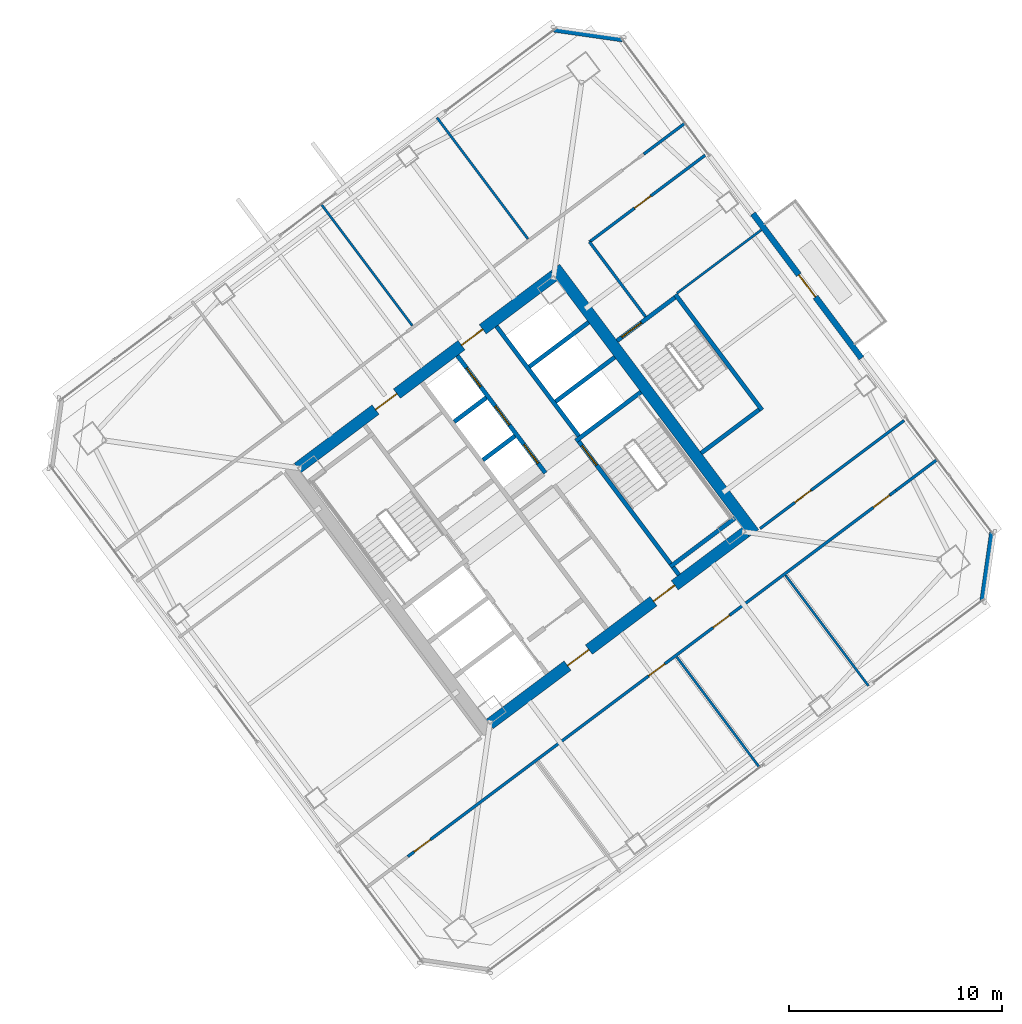
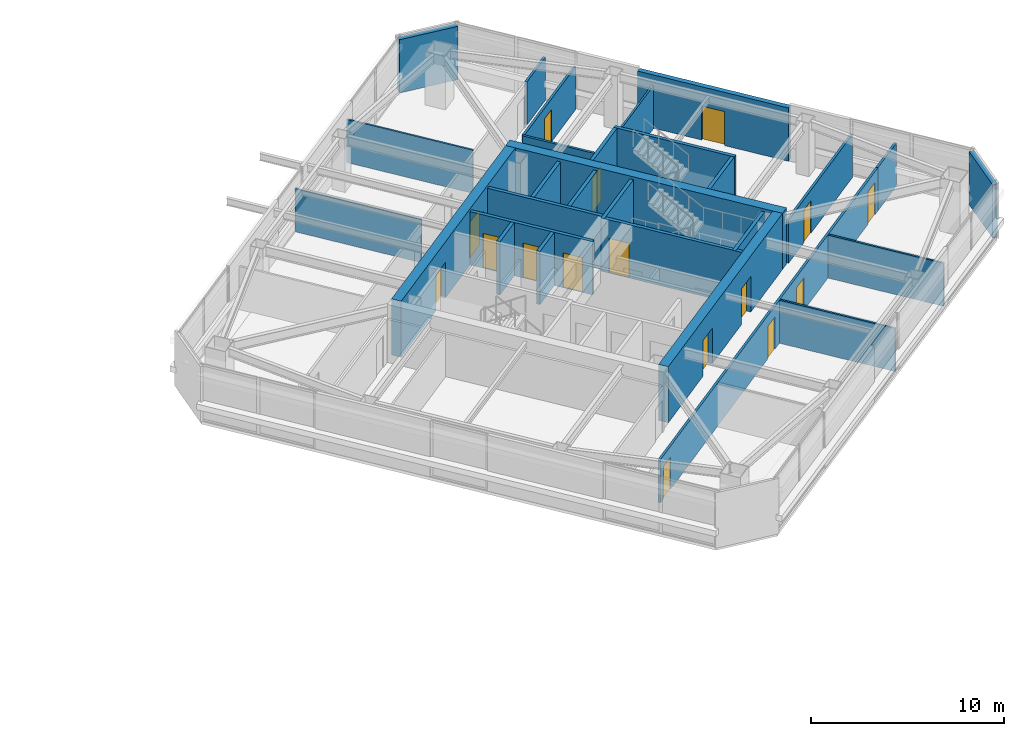
# One storey, part 36 of 43: 29 walls, 16 doors, 16 openings.
"""IFC4 building model written with IfcOpenShell, lengths in metres."""

from ifc_helpers import new_model, si_unit, direction, frame, frame_2d, origin, place, context, subcontext, project, spatial, rectangle, extrude, material, layer, layer_set, type_object, element, fill, save


model = new_model("IFC4")

# Units and contexts
model_context = context("Model", 3, precision=1e-05, world=origin(), true_north=direction((0.0, 1.0)))
body_context = subcontext(model_context, "Body", "Model", "MODEL_VIEW")
ifc_project = project(units=[si_unit("LENGTHUNIT", "METRE"), si_unit("AREAUNIT", "SQUARE_METRE"), si_unit("VOLUMEUNIT", "CUBIC_METRE"), si_unit("PLANEANGLEUNIT", "RADIAN"), si_unit("MASSUNIT", "GRAM", prefix="KILO")], contexts=[model_context])

# Site, building, storey
site_placement = place(None, origin())
site = spatial("IfcSite", under=ifc_project, at=site_placement, CompositionType="ELEMENT")
building_placement = place(site_placement, origin())
building = spatial("IfcBuilding", under=site, at=building_placement, Name="Tashvorn Skyway Center", CompositionType="ELEMENT")
storey_placement = place(building_placement, frame((0.0, 0.0, 185.39990234375)))
storey = spatial("IfcBuildingStorey", under=building, at=storey_placement, Name="L50", CompositionType="ELEMENT", Elevation=185.39990234375)

# Wall
ifc_material_1 = material(Name="Concrete C60/75", Category="concrete")
ifc_layer_1 = layer(ifc_material_1, 0.550048828125)
ifc_layer_set_1 = layer_set([ifc_layer_1], Name="Concrete C60/75")
wall_type_1 = type_object("IfcWallType", Name="WALL-CORE-550", PredefinedType="SHEAR", material=ifc_layer_set_1)
wall_1_placement = place(storey_placement, frame((115.56396484375, 42.923095703125, 0.0), z_axis=(0.0, 0.0, 1.0), x_axis=(0.600005007985, -0.799996243986, 0.0)))
element("IfcWall", 1, at=wall_1_placement, inside=storey, type_object=wall_type_1, Name="Tower 2 L50 East Core Shear Wall", PredefinedType="SHEAR", context=body_context, shape_type="SweptSolid", body=[
    extrude(rectangle(XDim=15.60009765625, YDim=0.550048828125, at=frame_2d((7.800048828125, 0.0))), origin(), (0.0, 0.0, 1.0), 3.550048828125),
])

# Wall, openings, doors
wall_2_placement = place(storey_placement, frame((124.5390625, 30.498046875, 0.0), z_axis=(0.0, 0.0, 1.0), x_axis=(-0.799998054672, -0.600002593761, 0.0)))
wall_2 = element("IfcWall", 2, at=wall_2_placement, inside=storey, type_object=wall_type_1, Name="Tower 2 L50 South Core Shear Wall", PredefinedType="SHEAR", context=body_context, shape_type="SweptSolid", body=[
    extrude(rectangle(XDim=15.06005859375, YDim=0.550048828125, at=frame_2d((7.530029296875, 0.0))), origin(), (0.0, 0.0, 1.0), 3.550048828125),
])
opening_1_placement = place(wall_2_placement, frame((9.22998046875, 0.0, 0.0)))
opening_1 = element("IfcOpeningElement", 3, at=opening_1_placement, cuts=wall_2, Name="Opening D-FFL-1250", PredefinedType="OPENING", context=body_context, shape_type="SweptSolid", body=[
    extrude(rectangle(XDim=1.25, YDim=2.25, at=frame_2d((0.625, 1.125))), frame((0.0, 0.284912109375, 0.0), z_axis=(0.0, -1.0, 0.0), x_axis=(1.0, 0.0, 0.0)), (0.0, 0.0, 1.0), 0.570068359375),
])
opening_2_placement = place(wall_2_placement, frame((4.179931640625, 0.0, 0.0)))
opening_2 = element("IfcOpeningElement", 4, at=opening_2_placement, cuts=wall_2, Name="Opening D-FFL-1250", PredefinedType="OPENING", context=body_context, shape_type="SweptSolid", body=[
    extrude(rectangle(XDim=1.25, YDim=2.25, at=frame_2d((0.625, 1.125))), frame((0.0, 0.284912109375, 0.0), z_axis=(0.0, -1.0, 0.0), x_axis=(1.0, 0.0, 0.0)), (0.0, 0.0, 1.0), 0.570068359375),
])
ifc_material_2 = material(Name="Hollow galvanized steel fire door assembly", Category="steel")
door_type_1 = type_object("IfcDoorType", Name="DOOR-FFL-1250", OperationType="NOTDEFINED", PredefinedType="DOOR", material=ifc_material_2)
door_1_placement = place(opening_1_placement, origin())
door_1 = element("IfcDoor", 5, at=door_1_placement, inside=storey, type_object=door_type_1, Name="Tower 2 L50 Core South Firefighting Exit Door", OperationType="SINGLE_SWING_LEFT", OverallHeight=2.25, OverallWidth=1.25, PredefinedType="DOOR", context=body_context, shape_type="SweptSolid", body=[
    extrude(rectangle(XDim=1.25, YDim=2.25, at=frame_2d((0.625, 1.125))), frame((0.0, 0.02490234375, 0.0), z_axis=(0.0, -1.0, 0.0), x_axis=(1.0, 0.0, 0.0)), (0.0, 0.0, 1.0), 0.050048828125),
])
fill(opening_1, door_1)
door_2_placement = place(opening_2_placement, origin())
door_2 = element("IfcDoor", 6, at=door_2_placement, inside=storey, type_object=door_type_1, Name="Tower 2 L50 Core South Lift Lobby Door", OperationType="SINGLE_SWING_RIGHT", OverallHeight=2.25, OverallWidth=1.25, PredefinedType="DOOR", context=body_context, shape_type="SweptSolid", body=[
    extrude(rectangle(XDim=1.25, YDim=2.25, at=frame_2d((0.625, 1.125))), frame((0.0, 0.02490234375, 0.0), z_axis=(0.0, -1.0, 0.0), x_axis=(1.0, 0.0, 0.0)), (0.0, 0.0, 1.0), 0.050048828125),
])
fill(opening_2, door_2)

wall_3_placement = place(storey_placement, frame((103.4609375, 33.501953125, 0.0), z_axis=(0.0, 0.0, 1.0), x_axis=(0.799998054672, 0.600002593761, 0.0)))
wall_3 = element("IfcWall", 7, at=wall_3_placement, inside=storey, type_object=wall_type_1, Name="Tower 2 L50 North Core Shear Wall", PredefinedType="SHEAR", context=body_context, shape_type="SweptSolid", body=[
    extrude(rectangle(XDim=15.06005859375, YDim=0.550048828125, at=frame_2d((7.530029296875, 0.0))), origin(), (0.0, 0.0, 1.0), 3.550048828125),
])
opening_3_placement = place(wall_3_placement, frame((4.580078125, 0.0, 0.0)))
opening_3 = element("IfcOpeningElement", 8, at=opening_3_placement, cuts=wall_3, Name="Opening D-FFL-1250", PredefinedType="OPENING", context=body_context, shape_type="SweptSolid", body=[
    extrude(rectangle(XDim=1.25, YDim=2.25, at=frame_2d((0.625, 1.125))), frame((0.0, 0.284912109375, 0.0), z_axis=(0.0, -1.0, 0.0), x_axis=(1.0, 0.0, 0.0)), (0.0, 0.0, 1.0), 0.570068359375),
])
opening_4_placement = place(wall_3_placement, frame((9.6298828125, 0.0, 0.0)))
opening_4 = element("IfcOpeningElement", 9, at=opening_4_placement, cuts=wall_3, Name="Opening D-FFL-1250", PredefinedType="OPENING", context=body_context, shape_type="SweptSolid", body=[
    extrude(rectangle(XDim=1.25, YDim=2.25, at=frame_2d((0.625, 1.125))), frame((0.0, 0.284912109375, 0.0), z_axis=(0.0, -1.0, 0.0), x_axis=(1.0, 0.0, 0.0)), (0.0, 0.0, 1.0), 0.570068359375),
])
door_3_placement = place(opening_3_placement, origin())
door_3 = element("IfcDoor", 10, at=door_3_placement, inside=storey, type_object=door_type_1, Name="Tower 2 L50 Core North Service Lobby Door", OperationType="SINGLE_SWING_LEFT", OverallHeight=2.25, OverallWidth=1.25, PredefinedType="DOOR", context=body_context, shape_type="SweptSolid", body=[
    extrude(rectangle(XDim=1.25, YDim=2.25, at=frame_2d((0.625, 1.125))), frame((0.0, 0.02490234375, 0.0), z_axis=(0.0, -1.0, 0.0), x_axis=(1.0, 0.0, 0.0)), (0.0, 0.0, 1.0), 0.050048828125),
])
fill(opening_3, door_3)
door_4_placement = place(opening_4_placement, origin())
door_4 = element("IfcDoor", 11, at=door_4_placement, inside=storey, type_object=door_type_1, Name="Tower 2 L50 Core North Lift Lobby Door", OperationType="SINGLE_SWING_RIGHT", OverallHeight=2.25, OverallWidth=1.25, PredefinedType="DOOR", context=body_context, shape_type="SweptSolid", body=[
    extrude(rectangle(XDim=1.25, YDim=2.25, at=frame_2d((0.625, 1.125))), frame((0.0, 0.02490234375, 0.0), z_axis=(0.0, -1.0, 0.0), x_axis=(1.0, 0.0, 0.0)), (0.0, 0.0, 1.0), 0.050048828125),
])
fill(opening_4, door_4)

# Wall, opening, door
ifc_material_3 = material(Name="Precast concrete C40/50", Category="concrete")
ifc_layer_2 = layer(ifc_material_3, 0.280029296875)
ifc_layer_set_2 = layer_set([ifc_layer_2], Name="Precast concrete C40/50")
wall_type_2 = type_object("IfcWallType", Name="WALL-EXT-280", PredefinedType="SOLIDWALL", material=ifc_layer_set_2)
wall_4_placement = place(storey_placement, frame((124.8740234375, 45.468017578125, 0.0), z_axis=(0.0, 0.0, 1.0), x_axis=(0.600004595526, -0.799996553335, 0.0)))
wall_4 = element("IfcWall", 12, at=wall_4_placement, inside=storey, type_object=wall_type_2, Name="Tower 2 L50 East Terrace Portal Wall", PredefinedType="SOLIDWALL", context=body_context, shape_type="SweptSolid", body=[
    extrude(rectangle(XDim=8.5, YDim=0.280029296875, at=frame_2d((4.25, 0.0))), origin(), (0.0, 0.0, 1.0), 3.3701171875),
])
opening_5_placement = place(wall_4_placement, frame((3.60009765625, 0.0, 0.0)))
opening_5 = element("IfcOpeningElement", 13, at=opening_5_placement, cuts=wall_4, Name="Opening D-TER-1300", PredefinedType="OPENING", context=body_context, shape_type="SweptSolid", body=[
    extrude(rectangle(XDim=1.300048828125, YDim=2.14990234375, at=frame_2d((0.64990234375, 1.074951171875))), frame((0.0, 0.14990234375, 0.0), z_axis=(0.0, -1.0, 0.0), x_axis=(1.0, 0.0, 0.0)), (0.0, 0.0, 1.0), 0.300048828125),
])
ifc_material_4 = material(Name="Thermally broken bronze-anodized aluminium 6063-T6", Category="aluminium")
door_type_2 = type_object("IfcDoorType", Name="DOOR-TERR-1300", OperationType="NOTDEFINED", PredefinedType="DOOR", material=ifc_material_4)
door_5_placement = place(opening_5_placement, origin())
door_5 = element("IfcDoor", 14, at=door_5_placement, inside=storey, type_object=door_type_2, Name="Tower 2 L50 Terrace Access Door", OperationType="SINGLE_SWING_LEFT", OverallHeight=2.14990234375, OverallWidth=1.300048828125, PredefinedType="DOOR", context=body_context, shape_type="SweptSolid", body=[
    extrude(rectangle(XDim=1.300048828125, YDim=2.14990234375, at=frame_2d((0.64990234375, 1.074951171875))), frame((0.0, 0.02490234375, 0.0), z_axis=(0.0, -1.0, 0.0), x_axis=(1.0, 0.0, 0.0)), (0.0, 0.0, 1.0), 0.050048828125),
])
fill(opening_5, door_5)

# Walls
for number, where, z_axis, x_axis, name in (
    (15, (115.52001953125, 54.139892578125, 0.0), (0.0, 0.0, 1.0), (0.989950994782, -0.141410847992, 0.0), "Tower 2 L50 NE Precast Chamfer Wall"),
    (16, (136.139892578125, 30.47998046875, 0.0), (0.0, 0.0, 1.0), (-0.141410847992, -0.989950994782, 0.0), "Tower 2 L50 SE Precast Chamfer Wall"),
):
    element("IfcWall", number, at=place(storey_placement, frame(where, z_axis=z_axis, x_axis=x_axis)), inside=storey, type_object=wall_type_2, Name=name, PredefinedType="SOLIDWALL", context=body_context, shape_type="SweptSolid", body=[
        extrude(rectangle(XDim=3.252685546875, YDim=0.280029296875, at=frame_2d((1.62646484375, 0.0))), origin(), (0.0, 0.0, 1.0), 3.3701171875),
    ])
ifc_material_5 = material(Name="Gypsum board on cold-formed steel stud framing", Category="steel")
ifc_layer_3 = layer(ifc_material_5, 0.110107421875)
ifc_layer_set_3 = layer_set([ifc_layer_3], Name="Gypsum board on cold-formed steel stud framing")
wall_type_3 = type_object("IfcWallType", Name="WALL-PART-110", PredefinedType="PARTITIONING", material=ifc_layer_set_3)
wall_5_placement = place(storey_placement, frame((108.85009765625, 40.199951171875, 0.0), z_axis=(0.0, 0.0, 1.0), x_axis=(-0.6, 0.8, 0.0)))
element("IfcWall", 17, at=wall_5_placement, inside=storey, type_object=wall_type_3, Name="Tower 2 L50 North Suite Partition 2", PredefinedType="PARTITIONING", context=body_context, shape_type="SweptSolid", body=[
    extrude(rectangle(XDim=7.130126953125, YDim=0.110107421875, at=frame_2d((3.56494140625, 0.0))), origin(), (0.0, 0.0, 1.0), 2.72314453125),
])
wall_6_placement = place(storey_placement, frame((114.2900390625, 44.280029296875, 0.0), z_axis=(0.0, 0.0, 1.0), x_axis=(-0.600016435865, 0.799987672837, 0.0)))
element("IfcWall", 18, at=wall_6_placement, inside=storey, type_object=wall_type_3, Name="Tower 2 L50 North Suite Partition 3", PredefinedType="PARTITIONING", context=body_context, shape_type="SweptSolid", body=[
    extrude(rectangle(XDim=7.1298828125, YDim=0.110107421875, at=frame_2d((3.56494140625, 0.0))), origin(), (0.0, 0.0, 1.0), 2.72314453125),
])
for number, where, z_axis, x_axis, name in (
    (19, (125.18798828125, 19.416015625, 0.0), (0.0, 0.0, 1.0), (-0.599993990277, 0.800004507257, 0.0), "Tower 2 L50 South Suite Partition 2"),
    (20, (130.30810546875, 23.256103515625, 0.0), (0.0, 0.0, 1.0), (-0.600018028558, 0.799986478264, 0.0), "Tower 2 L50 South Suite Partition 3"),
):
    element("IfcWall", number, at=place(storey_placement, frame(where, z_axis=z_axis, x_axis=x_axis)), inside=storey, type_object=wall_type_3, Name=name, PredefinedType="PARTITIONING", context=body_context, shape_type="SweptSolid", body=[
        extrude(rectangle(XDim=6.5, YDim=0.110107421875, at=frame_2d((3.25, 0.0))), origin(), (0.0, 0.0, 1.0), 2.72314453125),
    ])
wall_7_placement = place(storey_placement, frame((125.263916015625, 44.697998046875, 0.0), z_axis=(0.0, 0.0, 1.0), x_axis=(-0.8, -0.6, 0.0)))
element("IfcWall", 21, at=wall_7_placement, inside=storey, type_object=wall_type_3, Name="Tower 2 L50 East Suite Partition 1", PredefinedType="PARTITIONING", context=body_context, shape_type="SweptSolid", body=[
    extrude(rectangle(XDim=4.949951171875, YDim=0.110107421875, at=frame_2d((2.47509765625, 0.0))), origin(), (0.0, 0.0, 1.0), 2.72314453125),
])
ifc_layer_4 = layer(ifc_material_5, 0.135009765625)
ifc_layer_set_4 = layer_set([ifc_layer_4], Name="Gypsum board on cold-formed steel stud framing")
wall_type_4 = type_object("IfcWallType", Name="WALL-PART-135", PredefinedType="PARTITIONING", material=ifc_layer_set_4)
wall_8_placement = place(storey_placement, frame((119.823974609375, 40.617919921875, 0.0), z_axis=(0.0, 0.0, 1.0), x_axis=(-0.599982243973, 0.800013316712, 0.0)))
element("IfcWall", 22, at=wall_8_placement, inside=storey, type_object=wall_type_4, Name="Tower 2 L50 Stair 3 Access Corridor Wall", PredefinedType="PARTITIONING", context=body_context, shape_type="SweptSolid", body=[
    extrude(rectangle(XDim=4.39990234375, YDim=0.135009765625, at=frame_2d((2.199951171875, 0.0))), origin(), (0.0, 0.0, 1.0), 2.72314453125),
])
wall_9_placement = place(storey_placement, frame((119.738037109375, 48.26611328125, 0.0), z_axis=(0.0, 0.0, 1.0), x_axis=(0.799975885537, 0.600032151272, 0.0)))
element("IfcWall", 23, at=wall_9_placement, inside=storey, type_object=wall_type_4, Name="Tower 2 L50 North-East Suite South Wall", PredefinedType="PARTITIONING", context=body_context, shape_type="SweptSolid", body=[
    extrude(rectangle(XDim=2.429931640625, YDim=0.135009765625, at=frame_2d((1.21484375, 0.0))), origin(), (0.0, 0.0, 1.0), 2.72314453125),
])

# Wall, openings, doors
wall_10_placement = place(storey_placement, frame((131.60009765625, 32.449951171875, 0.0), z_axis=(0.0, 0.0, 1.0), x_axis=(-0.800003062365, -0.599995916825, 0.0)))
wall_10 = element("IfcWall", 24, at=wall_10_placement, inside=storey, type_object=wall_type_4, Name="Tower 2 L50 South Suite Wall", PredefinedType="PARTITIONING", context=body_context, shape_type="SweptSolid", body=[
    extrude(rectangle(XDim=28.7001953125, YDim=0.135009765625, at=frame_2d((14.35009765625, 0.0))), origin(), (0.0, 0.0, 1.0), 2.72314453125),
])
opening_6_placement = place(wall_10_placement, frame((27.3701171875, 0.0, 0.0)))
opening_6 = element("IfcOpeningElement", 25, at=opening_6_placement, cuts=wall_10, Name="Opening D-INT-950", PredefinedType="OPENING", context=body_context, shape_type="SweptSolid", body=[
    extrude(rectangle(XDim=0.949951171875, YDim=2.050048828125, at=frame_2d((0.47509765625, 1.02490234375))), frame((0.0, 0.077392578125, 0.0), z_axis=(0.0, -1.0, 0.0), x_axis=(1.0, 0.0, 0.0)), (0.0, 0.0, 1.0), 0.155029296875),
])
opening_7_placement = place(wall_10_placement, frame((13.589599609375, 0.0, 0.0)))
opening_7 = element("IfcOpeningElement", 26, at=opening_7_placement, cuts=wall_10, Name="Opening D-INT-950", PredefinedType="OPENING", context=body_context, shape_type="SweptSolid", body=[
    extrude(rectangle(XDim=0.949951171875, YDim=2.050048828125, at=frame_2d((0.47509765625, 1.02490234375))), frame((0.0, 0.077392578125, 0.0), z_axis=(0.0, -1.0, 0.0), x_axis=(1.0, 0.0, 0.0)), (0.0, 0.0, 1.0), 0.155029296875),
])
opening_8_placement = place(wall_10_placement, frame((9.796142578125, 0.0, 0.0)))
opening_8 = element("IfcOpeningElement", 27, at=opening_8_placement, cuts=wall_10, Name="Opening D-INT-950", PredefinedType="OPENING", context=body_context, shape_type="SweptSolid", body=[
    extrude(rectangle(XDim=0.949951171875, YDim=2.050048828125, at=frame_2d((0.47509765625, 1.02490234375))), frame((0.0, 0.077392578125, 0.0), z_axis=(0.0, -1.0, 0.0), x_axis=(1.0, 0.0, 0.0)), (0.0, 0.0, 1.0), 0.155029296875),
])
opening_9_placement = place(wall_10_placement, frame((0.3798828125, 0.0, 0.0)))
opening_9 = element("IfcOpeningElement", 28, at=opening_9_placement, cuts=wall_10, Name="Opening D-INT-950", PredefinedType="OPENING", context=body_context, shape_type="SweptSolid", body=[
    extrude(rectangle(XDim=0.949951171875, YDim=2.050048828125, at=frame_2d((0.47509765625, 1.02490234375))), frame((0.0, 0.077392578125, 0.0), z_axis=(0.0, -1.0, 0.0), x_axis=(1.0, 0.0, 0.0)), (0.0, 0.0, 1.0), 0.155029296875),
])
ifc_material_6 = material(Name="Solid-core architectural oak veneer door")
door_type_3 = type_object("IfcDoorType", Name="DOOR-INT-950", OperationType="NOTDEFINED", PredefinedType="DOOR", material=ifc_material_6)
door_6_placement = place(opening_6_placement, origin())
door_6 = element("IfcDoor", 29, at=door_6_placement, inside=storey, type_object=door_type_3, Name="Tower 2 L50 Gallery Showroom Door", OperationType="SINGLE_SWING_RIGHT", OverallHeight=2.050048828125, OverallWidth=0.949951171875, PredefinedType="DOOR", context=body_context, shape_type="SweptSolid", body=[
    extrude(rectangle(XDim=0.949951171875, YDim=2.050048828125, at=frame_2d((0.47509765625, 1.02490234375))), frame((0.0, 0.02490234375, 0.0), z_axis=(0.0, -1.0, 0.0), x_axis=(1.0, 0.0, 0.0)), (0.0, 0.0, 1.0), 0.050048828125),
])
fill(opening_6, door_6)
door_7_placement = place(opening_7_placement, origin())
door_7 = element("IfcDoor", 30, at=door_7_placement, inside=storey, type_object=door_type_3, Name="Tower 2 L50 Corporate Office Door", OperationType="SINGLE_SWING_LEFT", OverallHeight=2.050048828125, OverallWidth=0.949951171875, PredefinedType="DOOR", context=body_context, shape_type="SweptSolid", body=[
    extrude(rectangle(XDim=0.949951171875, YDim=2.050048828125, at=frame_2d((0.47509765625, 1.02490234375))), frame((0.0, 0.02490234375, 0.0), z_axis=(0.0, -1.0, 0.0), x_axis=(1.0, 0.0, 0.0)), (0.0, 0.0, 1.0), 0.050048828125),
])
fill(opening_7, door_7)
door_8_placement = place(opening_8_placement, origin())
door_8 = element("IfcDoor", 31, at=door_8_placement, inside=storey, type_object=door_type_3, Name="Tower 2 L50 Corporate Office Door", OperationType="SINGLE_SWING_RIGHT", OverallHeight=2.050048828125, OverallWidth=0.949951171875, PredefinedType="DOOR", context=body_context, shape_type="SweptSolid", body=[
    extrude(rectangle(XDim=0.949951171875, YDim=2.050048828125, at=frame_2d((0.47509765625, 1.02490234375))), frame((0.0, 0.02490234375, 0.0), z_axis=(0.0, -1.0, 0.0), x_axis=(1.0, 0.0, 0.0)), (0.0, 0.0, 1.0), 0.050048828125),
])
fill(opening_8, door_8)
door_9_placement = place(opening_9_placement, origin())
door_9 = element("IfcDoor", 32, at=door_9_placement, inside=storey, type_object=door_type_3, Name="Tower 2 L50 Collaborative Studio Door", OperationType="SINGLE_SWING_LEFT", OverallHeight=2.050048828125, OverallWidth=0.949951171875, PredefinedType="DOOR", context=body_context, shape_type="SweptSolid", body=[
    extrude(rectangle(XDim=0.949951171875, YDim=2.050048828125, at=frame_2d((0.47509765625, 1.02490234375))), frame((0.0, 0.02490234375, 0.0), z_axis=(0.0, -1.0, 0.0), x_axis=(1.0, 0.0, 0.0)), (0.0, 0.0, 1.0), 0.050048828125),
])
fill(opening_9, door_9)

# Wall
wall_11_placement = place(storey_placement, frame((131.60009765625, 32.449951171875, 0.0), z_axis=(0.0, 0.0, 1.0), x_axis=(0.799975885537, 0.600032151272, 0.0)))
element("IfcWall", 33, at=wall_11_placement, inside=storey, type_object=wall_type_4, Name="Tower 2 L50 South-East Suite North Wall", PredefinedType="PARTITIONING", context=body_context, shape_type="SweptSolid", body=[
    extrude(rectangle(XDim=2.429931640625, YDim=0.135009765625, at=frame_2d((1.21484375, 0.0))), origin(), (0.0, 0.0, 1.0), 2.72314453125),
])

# Wall, opening, door
wall_12_placement = place(storey_placement, frame((122.6240234375, 48.218017578125, 0.0), z_axis=(0.0, 0.0, 1.0), x_axis=(-0.79999138319, -0.600011488909, 0.0)))
wall_12 = element("IfcWall", 34, at=wall_12_placement, inside=storey, type_object=wall_type_4, Name="Tower 2 L50 East Suite North Wall", PredefinedType="PARTITIONING", context=body_context, shape_type="SweptSolid", body=[
    extrude(rectangle(XDim=6.800048828125, YDim=0.135009765625, at=frame_2d((3.39990234375, 0.0))), origin(), (0.0, 0.0, 1.0), 2.72314453125),
])
opening_10_placement = place(wall_12_placement, frame((3.199951171875, 0.0, 0.0)))
opening_10 = element("IfcOpeningElement", 35, at=opening_10_placement, cuts=wall_12, Name="Opening D-INT-950", PredefinedType="OPENING", context=body_context, shape_type="SweptSolid", body=[
    extrude(rectangle(XDim=0.949951171875, YDim=2.050048828125, at=frame_2d((0.47509765625, 1.02490234375))), frame((0.0, 0.077392578125, 0.0), z_axis=(0.0, -1.0, 0.0), x_axis=(1.0, 0.0, 0.0)), (0.0, 0.0, 1.0), 0.155029296875),
])
door_10_placement = place(opening_10_placement, origin())
door_10 = element("IfcDoor", 36, at=door_10_placement, inside=storey, type_object=door_type_3, Name="Tower 2 L50 Conference Room Door", OperationType="SINGLE_SWING_RIGHT", OverallHeight=2.050048828125, OverallWidth=0.949951171875, PredefinedType="DOOR", context=body_context, shape_type="SweptSolid", body=[
    extrude(rectangle(XDim=0.949951171875, YDim=2.050048828125, at=frame_2d((0.47509765625, 1.02490234375))), frame((0.0, 0.02490234375, 0.0), z_axis=(0.0, -1.0, 0.0), x_axis=(1.0, 0.0, 0.0)), (0.0, 0.0, 1.0), 0.050048828125),
])
fill(opening_10, door_10)

wall_13_placement = place(storey_placement, frame((125.2080078125, 30.656005859375, 0.0), z_axis=(0.0, 0.0, 1.0), x_axis=(0.799993082085, 0.600009223776, 0.0)))
wall_13 = element("IfcWall", 37, at=wall_13_placement, inside=storey, type_object=wall_type_4, Name="Tower 2 L50 East Suite South Wall", PredefinedType="PARTITIONING", context=body_context, shape_type="SweptSolid", body=[
    extrude(rectangle(XDim=8.469970703125, YDim=0.135009765625, at=frame_2d((4.23486328125, 0.0))), origin(), (0.0, 0.0, 1.0), 2.72314453125),
])
opening_11_placement = place(wall_13_placement, frame((2.044921875, 0.0, 0.0)))
opening_11 = element("IfcOpeningElement", 38, at=opening_11_placement, cuts=wall_13, Name="Opening D-INT-950", PredefinedType="OPENING", context=body_context, shape_type="SweptSolid", body=[
    extrude(rectangle(XDim=0.949951171875, YDim=2.050048828125, at=frame_2d((0.47509765625, 1.02490234375))), frame((0.0, 0.077392578125, 0.0), z_axis=(0.0, -1.0, 0.0), x_axis=(1.0, 0.0, 0.0)), (0.0, 0.0, 1.0), 0.155029296875),
])
door_11_placement = place(opening_11_placement, origin())
door_11 = element("IfcDoor", 39, at=door_11_placement, inside=storey, type_object=door_type_3, Name="Tower 2 L50 Public Restroom Door", OperationType="SINGLE_SWING_LEFT", OverallHeight=2.050048828125, OverallWidth=0.949951171875, PredefinedType="DOOR", context=body_context, shape_type="SweptSolid", body=[
    extrude(rectangle(XDim=0.949951171875, YDim=2.050048828125, at=frame_2d((0.47509765625, 1.02490234375))), frame((0.0, 0.02490234375, 0.0), z_axis=(0.0, -1.0, 0.0), x_axis=(1.0, 0.0, 0.0)), (0.0, 0.0, 1.0), 0.050048828125),
])
fill(opening_11, door_11)

# Walls
ifc_material_7 = material(Name="Concrete C40/50", Category="concrete")
ifc_layer_5 = layer(ifc_material_7, 0.199951171875)
ifc_layer_set_5 = layer_set([ifc_layer_5], Name="Concrete C40/50")
wall_type_5 = type_object("IfcWallType", Name="WALL-SHAFT-200", PredefinedType="SOLIDWALL", material=ifc_layer_set_5)
for number, where, z_axis, x_axis, name in (
    (40, (115.590087890625, 36.6298828125, 0.0), (0.0, 0.0, 1.0), (0.799974743577, 0.600033673754, 0.0), "Tower 2 L50 High-Rise Shaft Divider"),
    (41, (114.360107421875, 38.27001953125, 0.0), (0.0, 0.0, 1.0), (0.800008418847, 0.599988774707, 0.0), "Tower 2 L50 High-Rise Shaft Divider"),
):
    element("IfcWall", number, at=place(storey_placement, frame(where, z_axis=z_axis, x_axis=x_axis)), inside=storey, type_object=wall_type_5, Name=name, PredefinedType="SOLIDWALL", context=body_context, shape_type="SweptSolid", body=[
        extrude(rectangle(XDim=3.47998046875, YDim=0.199951171875, at=frame_2d((1.739990234375, 0.0))), origin(), (0.0, 0.0, 1.0), 3.3701171875),
    ])

# Wall, openings, doors
wall_14_placement = place(storey_placement, frame((115.110107421875, 33.27001953125, 0.0), z_axis=(0.0, 0.0, 1.0), x_axis=(-0.600011322243, 0.799991508192, 0.0)))
wall_14 = element("IfcWall", 42, at=wall_14_placement, inside=storey, type_object=wall_type_5, Name="Tower 2 L50 Mid-Rise Core Wall", PredefinedType="SOLIDWALL", context=body_context, shape_type="SweptSolid", body=[
    extrude(rectangle(XDim=6.900146484375, YDim=0.199951171875, at=frame_2d((3.4501953125, 0.0))), origin(), (0.0, 0.0, 1.0), 3.3701171875),
])
opening_12_placement = place(wall_14_placement, frame((0.574951171875, 0.0, 0.0)))
opening_12 = element("IfcOpeningElement", 43, at=opening_12_placement, cuts=wall_14, Name="Opening LD-MR-T2-1-L50", PredefinedType="OPENING", context=body_context, shape_type="SweptSolid", body=[
    extrude(rectangle(XDim=1.10009765625, YDim=2.199951171875, at=frame_2d((0.550048828125, 1.10009765625))), frame((0.0, 0.10986328125, 0.0), z_axis=(0.0, -1.0, 0.0), x_axis=(1.0, 0.0, 0.0)), (0.0, 0.0, 1.0), 0.219970703125),
])
opening_13_placement = place(wall_14_placement, frame((2.824951171875, 0.0, 0.0)))
opening_13 = element("IfcOpeningElement", 44, at=opening_13_placement, cuts=wall_14, Name="Opening LD-MR-T2-2-L50", PredefinedType="OPENING", context=body_context, shape_type="SweptSolid", body=[
    extrude(rectangle(XDim=1.10009765625, YDim=2.199951171875, at=frame_2d((0.550048828125, 1.10009765625))), frame((0.0, 0.10986328125, 0.0), z_axis=(0.0, -1.0, 0.0), x_axis=(1.0, 0.0, 0.0)), (0.0, 0.0, 1.0), 0.219970703125),
])
opening_14_placement = place(wall_14_placement, frame((5.074951171875, 0.0, 0.0)))
opening_14 = element("IfcOpeningElement", 45, at=opening_14_placement, cuts=wall_14, Name="Opening LD-MR-T2-3-L50", PredefinedType="OPENING", context=body_context, shape_type="SweptSolid", body=[
    extrude(rectangle(XDim=1.10009765625, YDim=2.199951171875, at=frame_2d((0.550048828125, 1.10009765625))), frame((0.0, 0.10986328125, 0.0), z_axis=(0.0, -1.0, 0.0), x_axis=(1.0, 0.0, 0.0)), (0.0, 0.0, 1.0), 0.219970703125),
])
ifc_material_8 = material(Name="Stainless steel landing door", Category="steel")
door_type_4 = type_object("IfcDoorType", Name="DOOR-LIFT-1100", OperationType="SLIDING_TO_LEFT", PredefinedType="DOOR", material=ifc_material_8)
door_12_placement = place(opening_12_placement, origin())
door_12 = element("IfcDoor", 46, at=door_12_placement, inside=storey, type_object=door_type_4, Name="Lift MR-T2-1 L50 Landing Door", OperationType="SLIDING_TO_LEFT", OverallHeight=2.199951171875, OverallWidth=1.10009765625, PredefinedType="DOOR", context=body_context, shape_type="SweptSolid", body=[
    extrude(rectangle(XDim=1.10009765625, YDim=2.199951171875, at=frame_2d((0.550048828125, 1.10009765625))), frame((0.0, 0.02490234375, 0.0), z_axis=(0.0, -1.0, 0.0), x_axis=(1.0, 0.0, 0.0)), (0.0, 0.0, 1.0), 0.050048828125),
])
fill(opening_12, door_12)
door_13_placement = place(opening_13_placement, origin())
door_13 = element("IfcDoor", 47, at=door_13_placement, inside=storey, type_object=door_type_4, Name="Lift MR-T2-2 L50 Landing Door", OperationType="SLIDING_TO_LEFT", OverallHeight=2.199951171875, OverallWidth=1.10009765625, PredefinedType="DOOR", context=body_context, shape_type="SweptSolid", body=[
    extrude(rectangle(XDim=1.10009765625, YDim=2.199951171875, at=frame_2d((0.550048828125, 1.10009765625))), frame((0.0, 0.02490234375, 0.0), z_axis=(0.0, -1.0, 0.0), x_axis=(1.0, 0.0, 0.0)), (0.0, 0.0, 1.0), 0.050048828125),
])
fill(opening_13, door_13)
door_14_placement = place(opening_14_placement, origin())
door_14 = element("IfcDoor", 48, at=door_14_placement, inside=storey, type_object=door_type_4, Name="Lift MR-T2-3 L50 Landing Door", OperationType="SLIDING_TO_LEFT", OverallHeight=2.199951171875, OverallWidth=1.10009765625, PredefinedType="DOOR", context=body_context, shape_type="SweptSolid", body=[
    extrude(rectangle(XDim=1.10009765625, YDim=2.199951171875, at=frame_2d((0.550048828125, 1.10009765625))), frame((0.0, 0.02490234375, 0.0), z_axis=(0.0, -1.0, 0.0), x_axis=(1.0, 0.0, 0.0)), (0.0, 0.0, 1.0), 0.050048828125),
])
fill(opening_14, door_14)

# Walls
wall_15_placement = place(storey_placement, frame((112.176025390625, 33.882080078125, 0.0), z_axis=(0.0, 0.0, 1.0), x_axis=(0.8, 0.6, 0.0)))
element("IfcWall", 49, at=wall_15_placement, inside=storey, type_object=wall_type_5, Name="Tower 2 L50 Mid-Rise Shaft Divider", PredefinedType="SOLIDWALL", context=body_context, shape_type="SweptSolid", body=[
    extrude(rectangle(XDim=1.8798828125, YDim=0.199951171875, at=frame_2d((0.93994140625, 0.0))), origin(), (0.0, 0.0, 1.0), 3.3701171875),
])
wall_16_placement = place(storey_placement, frame((110.825927734375, 35.681884765625, 0.0), z_axis=(0.0, 0.0, 1.0), x_axis=(0.799984418148, 0.600020775241, 0.0)))
element("IfcWall", 50, at=wall_16_placement, inside=storey, type_object=wall_type_5, Name="Tower 2 L50 Mid-Rise Shaft Divider", PredefinedType="SOLIDWALL", context=body_context, shape_type="SweptSolid", body=[
    extrude(rectangle(XDim=1.880126953125, YDim=0.199951171875, at=frame_2d((0.93994140625, 0.0))), origin(), (0.0, 0.0, 1.0), 3.3701171875),
])

# Wall, opening, door
ifc_layer_6 = layer(ifc_material_7, 0.199951171875)
ifc_layer_set_6 = layer_set([ifc_layer_6], Name="Concrete C40/50")
wall_type_6 = type_object("IfcWallType", Name="WALL-STSHF-200", PredefinedType="SHEAR", material=ifc_layer_set_6)
wall_17_placement = place(storey_placement, frame((116.56005859375, 34.919921875, 0.0), z_axis=(0.0, 0.0, 1.0), x_axis=(0.59999029481, -0.8000072788, 0.0)))
wall_17 = element("IfcWall", 51, at=wall_17_placement, inside=storey, type_object=wall_type_6, Name="Tower 2 L50 Stair 2 Enclosure Wall", PredefinedType="SHEAR", context=body_context, shape_type="SweptSolid", body=[
    extrude(rectangle(XDim=8.0498046875, YDim=0.199951171875, at=frame_2d((4.02490234375, 0.0))), origin(), (0.0, 0.0, 1.0), 3.3701171875),
])
opening_15_placement = place(wall_17_placement, frame((0.449951171875, 0.0, 0.0)))
opening_15 = element("IfcOpeningElement", 52, at=opening_15_placement, cuts=wall_17, Name="Opening D-ST-1150", PredefinedType="OPENING", context=body_context, shape_type="SweptSolid", body=[
    extrude(rectangle(XDim=1.14990234375, YDim=2.199951171875, at=frame_2d((0.574951171875, 1.10009765625))), frame((0.0, 0.10986328125, 0.0), z_axis=(0.0, -1.0, 0.0), x_axis=(1.0, 0.0, 0.0)), (0.0, 0.0, 1.0), 0.219970703125),
])
door_type_5 = type_object("IfcDoorType", Name="DOOR-STAIR-1150", OperationType="NOTDEFINED", PredefinedType="DOOR", material=ifc_material_2)
door_15_placement = place(opening_15_placement, origin())
door_15 = element("IfcDoor", 53, at=door_15_placement, inside=storey, type_object=door_type_5, Name="Tower 2 L50 Exit Stair 2 Door", OperationType="SINGLE_SWING_RIGHT", OverallHeight=2.199951171875, OverallWidth=1.14990234375, PredefinedType="DOOR", context=body_context, shape_type="SweptSolid", body=[
    extrude(rectangle(XDim=1.14990234375, YDim=2.199951171875, at=frame_2d((0.574951171875, 1.10009765625))), frame((0.0, 0.02490234375, 0.0), z_axis=(0.0, -1.0, 0.0), x_axis=(1.0, 0.0, 0.0)), (0.0, 0.0, 1.0), 0.050048828125),
])
fill(opening_15, door_15)

# Walls
for number, where, z_axis, x_axis, name in (
    (54, (116.5400390625, 34.780029296875, 0.0), (0.0, 0.0, 1.0), (0.800015298837, 0.599979601008, 0.0), "Tower 2 L50 Stair 2 North Wall"),
    (55, (120.97998046875, 28.860107421875, 0.0), (0.0, 0.0, 1.0), (0.800015298837, 0.599979601008, 0.0), "Tower 2 L50 Stair 2 South Wall"),
):
    element("IfcWall", number, at=place(storey_placement, frame(where, z_axis=z_axis, x_axis=x_axis)), inside=storey, type_object=wall_type_6, Name=name, PredefinedType="SHEAR", context=body_context, shape_type="SweptSolid", body=[
        extrude(rectangle(XDim=3.829833984375, YDim=0.199951171875, at=frame_2d((1.9150390625, 0.0))), origin(), (0.0, 0.0, 1.0), 3.3701171875),
    ])
wall_18_placement = place(storey_placement, frame((112.81005859375, 40.169921875, 0.0), z_axis=(0.0, 0.0, 1.0), x_axis=(0.599993943644, -0.800004542231, 0.0)))
element("IfcWall", 56, at=wall_18_placement, inside=storey, type_object=wall_type_6, Name="Tower 2 L50 High-Rise Lift Shaft Front Wall", PredefinedType="SHEAR", context=body_context, shape_type="SweptSolid", body=[
    extrude(rectangle(XDim=6.449951171875, YDim=0.199951171875, at=frame_2d((3.22509765625, 0.0))), origin(), (0.0, 0.0, 1.0), 3.3701171875),
])
wall_19_placement = place(storey_placement, frame((125.303955078125, 36.22802734375, 0.0), z_axis=(0.0, 0.0, 1.0), x_axis=(-0.59998851072, 0.800008616831, 0.0)))
element("IfcWall", 57, at=wall_19_placement, inside=storey, type_object=wall_type_6, Name="Tower 2 L50 Stair 3 Outer Wall", PredefinedType="SHEAR", context=body_context, shape_type="SweptSolid", body=[
    extrude(rectangle(XDim=6.7998046875, YDim=0.199951171875, at=frame_2d((3.39990234375, 0.0))), origin(), (0.0, 0.0, 1.0), 3.3701171875),
])

# Wall, opening, door
wall_20_placement = place(storey_placement, frame((121.2041015625, 41.528076171875, 0.0), z_axis=(0.0, 0.0, 1.0), x_axis=(-0.800017232136, -0.599977023131, 0.0)))
wall_20 = element("IfcWall", 58, at=wall_20_placement, inside=storey, type_object=wall_type_6, Name="Tower 2 L50 Stair 3 Enclosure Wall", PredefinedType="SHEAR", context=body_context, shape_type="SweptSolid", body=[
    extrude(rectangle(XDim=3.400146484375, YDim=0.199951171875, at=frame_2d((1.7001953125, 0.0))), origin(), (0.0, 0.0, 1.0), 3.3701171875),
])
opening_16_placement = place(wall_20_placement, frame((1.97509765625, 0.0, 0.0)))
opening_16 = element("IfcOpeningElement", 59, at=opening_16_placement, cuts=wall_20, Name="Opening D-ST-1150", PredefinedType="OPENING", context=body_context, shape_type="SweptSolid", body=[
    extrude(rectangle(XDim=1.14990234375, YDim=2.199951171875, at=frame_2d((0.574951171875, 1.10009765625))), frame((0.0, 0.10986328125, 0.0), z_axis=(0.0, -1.0, 0.0), x_axis=(1.0, 0.0, 0.0)), (0.0, 0.0, 1.0), 0.219970703125),
])
door_16_placement = place(opening_16_placement, origin())
door_16 = element("IfcDoor", 60, at=door_16_placement, inside=storey, type_object=door_type_5, Name="Tower 2 L50 Exit Stair 3 Door", OperationType="SINGLE_SWING_RIGHT", OverallHeight=2.199951171875, OverallWidth=1.14990234375, PredefinedType="DOOR", context=body_context, shape_type="SweptSolid", body=[
    extrude(rectangle(XDim=1.14990234375, YDim=2.199951171875, at=frame_2d((0.574951171875, 1.10009765625))), frame((0.0, 0.02490234375, 0.0), z_axis=(0.0, -1.0, 0.0), x_axis=(1.0, 0.0, 0.0)), (0.0, 0.0, 1.0), 0.050048828125),
])
fill(opening_16, door_16)

# Wall
wall_21_placement = place(storey_placement, frame((122.444091796875, 34.2080078125, 0.0), z_axis=(0.0, 0.0, 1.0), x_axis=(0.79999138319, 0.600011488909, 0.0)))
element("IfcWall", 61, at=wall_21_placement, inside=storey, type_object=wall_type_6, Name="Tower 2 L50 Stair 3 South Wall", PredefinedType="SHEAR", context=body_context, shape_type="SweptSolid", body=[
    extrude(rectangle(XDim=3.39990234375, YDim=0.199951171875, at=frame_2d((1.699951171875, 0.0))), origin(), (0.0, 0.0, 1.0), 3.3701171875),
])

save(model, "model.ifc")
